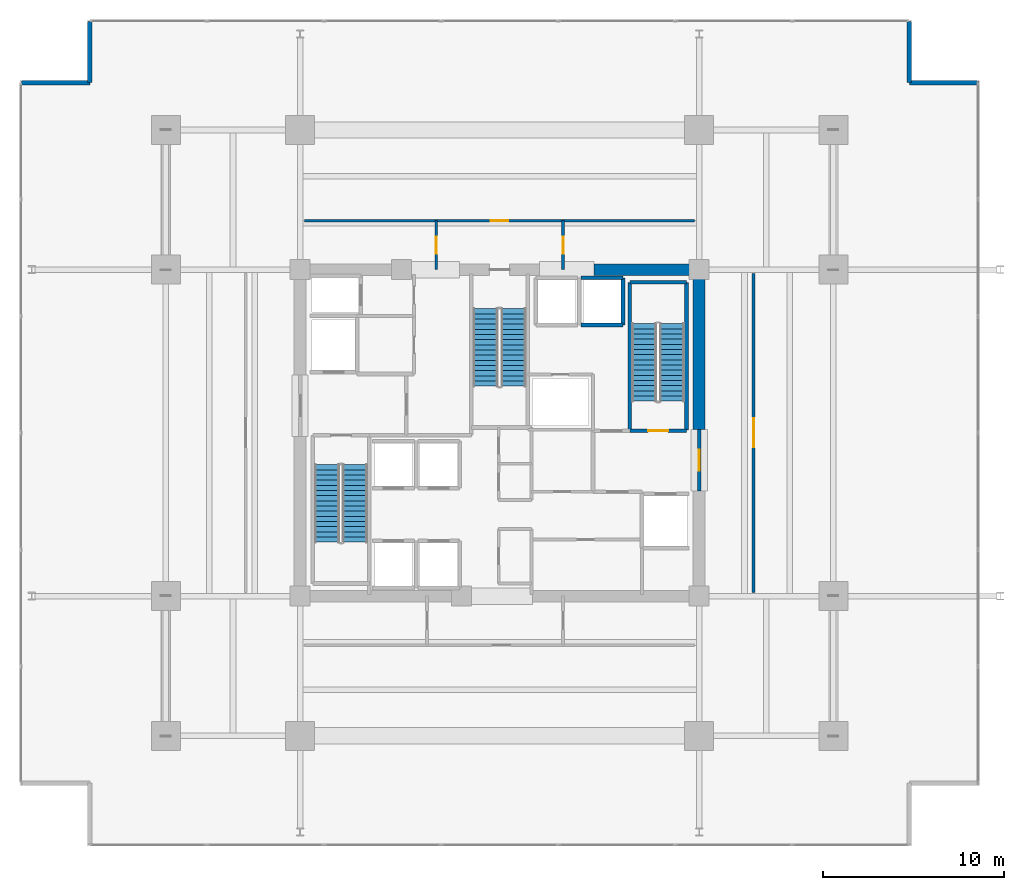
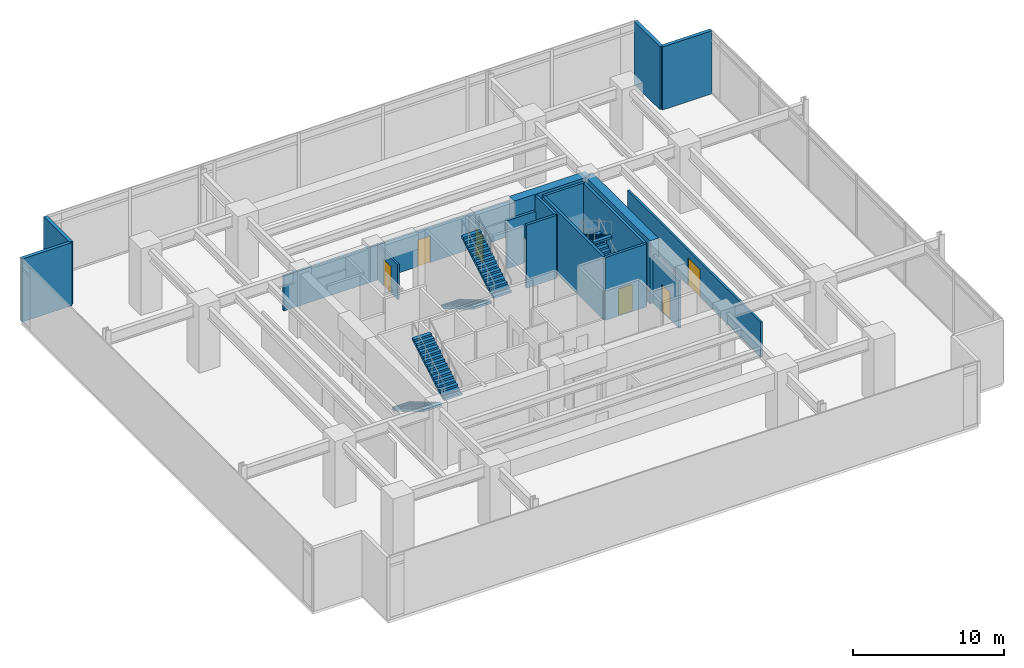
# One storey, part 22 of 23: 18 walls, 6 doors, 6 stair flights, 6 openings, 3 elements without a shape of their own.
"""IFC4 building model written with IfcOpenShell, lengths in metres."""

from ifc_helpers import new_model, si_unit, direction, frame, frame_2d, origin, place, context, subcontext, project, spatial, polyline, rectangle, outline, extrude, material, layer, layer_set, type_object, element, fill, aggregate, save


model = new_model("IFC4")

# Units and contexts
model_context = context("Model", 3, precision=1e-05, world=origin(), true_north=direction((0.0, 1.0)))
body_context = subcontext(model_context, "Body", "Model", "MODEL_VIEW")
ifc_project = project(units=[si_unit("LENGTHUNIT", "METRE"), si_unit("AREAUNIT", "SQUARE_METRE"), si_unit("VOLUMEUNIT", "CUBIC_METRE"), si_unit("PLANEANGLEUNIT", "RADIAN"), si_unit("MASSUNIT", "GRAM", prefix="KILO")], contexts=[model_context])

# Site, building, storey
site_placement = place(None, origin())
site = spatial("IfcSite", under=ifc_project, at=site_placement, CompositionType="ELEMENT")
building_placement = place(site_placement, origin())
building = spatial("IfcBuilding", under=site, at=building_placement, Name="Kovane Verandah Tower", CompositionType="ELEMENT")
storey_placement = place(building_placement, frame((0.0, 0.0, 107.60009765625)))
storey = spatial("IfcBuildingStorey", under=building, at=storey_placement, Name="L25", CompositionType="ELEMENT", Elevation=107.60009765625)

# Wall, opening, door
ifc_material_1 = material(Name="Fire-Rated Gypsum Stud Partition", Category="gypsum")
ifc_layer_1 = layer(ifc_material_1, 0.14990234375)
ifc_layer_set_1 = layer_set([ifc_layer_1], Name="Fire-Rated Gypsum Stud Partition")
wall_type_1 = type_object("IfcWallType", Name="WL-COR-150", PredefinedType="PARTITIONING", material=ifc_layer_set_1)
wall_1_placement = place(storey_placement, frame((36.5, 36.5, 0.0), z_axis=(0.0, 0.0, 1.0), x_axis=(0.0, 1.0, 0.0)))
wall_1 = element("IfcWall", 1, at=wall_1_placement, inside=storey, type_object=wall_type_1, Name="L25 North Refuge Stair Lobby West Fire Wall", PredefinedType="PARTITIONING", context=body_context, shape_type="SweptSolid", body=[
    extrude(rectangle(XDim=2.699951171875, YDim=0.14990234375, at=frame_2d((1.35009765625, 0.0))), origin(), (0.0, 0.0, 1.0), 2.849853515625),
])
opening_1_placement = place(wall_1_placement, frame((0.875, 0.0, 0.0)))
opening_1 = element("IfcOpeningElement", 2, at=opening_1_placement, cuts=wall_1, Name="Opening DR-L25-008", PredefinedType="OPENING", context=body_context, shape_type="SweptSolid", body=[
    extrude(rectangle(XDim=0.949951171875, YDim=2.14990234375, at=frame_2d((0.47509765625, 1.074951171875))), frame((0.0, 0.074951171875, 0.0), z_axis=(0.0, -1.0, 0.0), x_axis=(1.0, 0.0, 0.0)), (0.0, 0.0, 1.0), 0.14990234375),
])
ifc_material_2 = material(Name="Fire-Rated Steel Refuge and Lobby Door", Category="steel")
door_type_1 = type_object("IfcDoorType", Name="DR-FIRE-950", OperationType="SINGLE_SWING_LEFT", PredefinedType="DOOR", material=ifc_material_2)
door_1_placement = place(opening_1_placement, origin())
door_1 = element("IfcDoor", 3, at=door_1_placement, inside=storey, type_object=door_type_1, Name="L25 North Refuge Stair Lobby West Fire Door", OperationType="SINGLE_SWING_LEFT", OverallHeight=2.14990234375, OverallWidth=0.949951171875, PredefinedType="DOOR", context=body_context, shape_type="SweptSolid", body=[
    extrude(rectangle(XDim=0.949951171875, YDim=2.14990234375, at=frame_2d((0.47509765625, 1.074951171875))), frame((0.0, 0.02490234375, 0.0), z_axis=(0.0, -1.0, 0.0), x_axis=(1.0, 0.0, 0.0)), (0.0, 0.0, 1.0), 0.050048828125),
])
fill(opening_1, door_1)

wall_2_placement = place(storey_placement, frame((43.5, 36.5, 0.0), z_axis=(0.0, 0.0, 1.0), x_axis=(0.0, 1.0, 0.0)))
wall_2 = element("IfcWall", 4, at=wall_2_placement, inside=storey, type_object=wall_type_1, Name="L25 North Refuge Stair Lobby East Fire Wall", PredefinedType="PARTITIONING", context=body_context, shape_type="SweptSolid", body=[
    extrude(rectangle(XDim=2.699951171875, YDim=0.14990234375, at=frame_2d((1.35009765625, 0.0))), origin(), (0.0, 0.0, 1.0), 2.849853515625),
])
opening_2_placement = place(wall_2_placement, frame((0.875, 0.0, 0.0)))
opening_2 = element("IfcOpeningElement", 5, at=opening_2_placement, cuts=wall_2, Name="Opening DR-L25-007", PredefinedType="OPENING", context=body_context, shape_type="SweptSolid", body=[
    extrude(rectangle(XDim=0.949951171875, YDim=2.14990234375, at=frame_2d((0.47509765625, 1.074951171875))), frame((0.0, 0.074951171875, 0.0), z_axis=(0.0, -1.0, 0.0), x_axis=(1.0, 0.0, 0.0)), (0.0, 0.0, 1.0), 0.14990234375),
])
door_2_placement = place(opening_2_placement, origin())
door_2 = element("IfcDoor", 6, at=door_2_placement, inside=storey, type_object=door_type_1, Name="L25 North Refuge Stair Lobby East Fire Door", OperationType="SINGLE_SWING_RIGHT", OverallHeight=2.14990234375, OverallWidth=0.949951171875, PredefinedType="DOOR", context=body_context, shape_type="SweptSolid", body=[
    extrude(rectangle(XDim=0.949951171875, YDim=2.14990234375, at=frame_2d((0.47509765625, 1.074951171875))), frame((0.0, 0.02490234375, 0.0), z_axis=(0.0, -1.0, 0.0), x_axis=(1.0, 0.0, 0.0)), (0.0, 0.0, 1.0), 0.050048828125),
])
fill(opening_2, door_2)

wall_3_placement = place(storey_placement, frame((29.25, 39.199951171875, 0.0), z_axis=(0.0, 0.0, 1.0), x_axis=(1.0, 0.0, 0.0)))
wall_3 = element("IfcWall", 7, at=wall_3_placement, inside=storey, type_object=wall_type_1, Name="L25 Open-Sided Refuge Area North Corridor Partition", PredefinedType="PARTITIONING", context=body_context, shape_type="SweptSolid", body=[
    extrude(rectangle(XDim=21.5, YDim=0.14990234375, at=frame_2d((10.75, 0.0))), origin(), (0.0, 0.0, 1.0), 2.849853515625),
])
opening_3_placement = place(wall_3_placement, frame((10.27490234375, 0.0, 0.0)))
opening_3 = element("IfcOpeningElement", 8, at=opening_3_placement, cuts=wall_3, Name="Opening DR-L25-018", PredefinedType="OPENING", context=body_context, shape_type="SweptSolid", body=[
    extrude(rectangle(XDim=0.949951171875, YDim=2.14990234375, at=frame_2d((0.47509765625, 1.074951171875))), frame((0.0, 0.074951171875, 0.0), z_axis=(0.0, -1.0, 0.0), x_axis=(1.0, 0.0, 0.0)), (0.0, 0.0, 1.0), 0.14990234375),
])
door_3_placement = place(opening_3_placement, origin())
door_3 = element("IfcDoor", 9, at=door_3_placement, inside=storey, type_object=door_type_1, Name="L25 Open-Sided Refuge Area North Entrance Door", OperationType="SINGLE_SWING_LEFT", OverallHeight=2.14990234375, OverallWidth=0.949951171875, PredefinedType="DOOR", context=body_context, shape_type="SweptSolid", body=[
    extrude(rectangle(XDim=0.949951171875, YDim=2.14990234375, at=frame_2d((0.47509765625, 1.074951171875))), frame((0.0, 0.02490234375, 0.0), z_axis=(0.0, -1.0, 0.0), x_axis=(1.0, 0.0, 0.0)), (0.0, 0.0, 1.0), 0.050048828125),
])
fill(opening_3, door_3)

wall_4_placement = place(storey_placement, frame((54.0, 18.699951171875, 0.0), z_axis=(0.0, 0.0, 1.0), x_axis=(0.0, 1.0, 0.0)))
wall_4 = element("IfcWall", 10, at=wall_4_placement, inside=storey, type_object=wall_type_1, Name="L25 Electrical Switchroom Plant East Corridor Partition", PredefinedType="PARTITIONING", context=body_context, shape_type="SweptSolid", body=[
    extrude(rectangle(XDim=17.60009765625, YDim=0.14990234375, at=frame_2d((8.800048828125, 0.0))), origin(), (0.0, 0.0, 1.0), 2.849853515625),
])
opening_4_placement = place(wall_4_placement, frame((8.0, 0.0, 0.0)))
opening_4 = element("IfcOpeningElement", 11, at=opening_4_placement, cuts=wall_4, Name="Opening DR-L25-014", PredefinedType="OPENING", context=body_context, shape_type="SweptSolid", body=[
    extrude(rectangle(XDim=1.60009765625, YDim=2.25, at=frame_2d((0.800048828125, 1.125))), frame((0.0, 0.074951171875, 0.0), z_axis=(0.0, -1.0, 0.0), x_axis=(1.0, 0.0, 0.0)), (0.0, 0.0, 1.0), 0.14990234375),
])
ifc_material_3 = material(Name="Louvred Acoustic Steel Double Plant Door", Category="steel")
door_type_2 = type_object("IfcDoorType", Name="DR-PLANT-1600", OperationType="DOUBLE_DOOR_SINGLE_SWING", PredefinedType="DOOR", material=ifc_material_3)
door_4_placement = place(opening_4_placement, origin())
door_4 = element("IfcDoor", 12, at=door_4_placement, inside=storey, type_object=door_type_2, Name="L25 Electrical Switchroom Plant East Entrance Door", OperationType="DOUBLE_DOOR_SINGLE_SWING", OverallHeight=2.25, OverallWidth=1.60009765625, PredefinedType="DOOR", context=body_context, shape_type="SweptSolid", body=[
    extrude(rectangle(XDim=1.60009765625, YDim=2.25, at=frame_2d((0.800048828125, 1.125))), frame((0.0, 0.02490234375, 0.0), z_axis=(0.0, -1.0, 0.0), x_axis=(1.0, 0.0, 0.0)), (0.0, 0.0, 1.0), 0.050048828125),
])
fill(opening_4, door_4)

# Walls
ifc_material_4 = material(Name="Concrete C80/95", Category="concrete")
ifc_layer_2 = layer(ifc_material_4, 0.64990234375)
ifc_layer_set_2 = layer_set([ifc_layer_2], Name="Concrete C80/95")
wall_type_2 = type_object("IfcWallType", Name="WL-CORE-650", PredefinedType="SHEAR", material=ifc_layer_set_2)
wall_5_placement = place(storey_placement, frame((45.199951171875, 36.5, 0.0), z_axis=(0.0, 0.0, 1.0), x_axis=(1.0, 0.0, 0.0)))
element("IfcWall", 13, at=wall_5_placement, inside=storey, type_object=wall_type_2, Name="L25 Core Shear Wall CN-3", PredefinedType="SHEAR", context=body_context, shape_type="SweptSolid", body=[
    extrude(rectangle(XDim=5.800048828125, YDim=0.64990234375, at=frame_2d((2.89990234375, 0.0))), origin(), (0.0, 0.0, 1.0), 5.099853515625),
])
wall_6_placement = place(storey_placement, frame((51.0, 27.699951171875, 0.0), z_axis=(0.0, 0.0, 1.0), x_axis=(0.0, 1.0, 0.0)))
element("IfcWall", 14, at=wall_6_placement, inside=storey, type_object=wall_type_2, Name="L25 Core Shear Wall CE-2", PredefinedType="SHEAR", context=body_context, shape_type="SweptSolid", body=[
    extrude(rectangle(XDim=8.800048828125, YDim=0.64990234375, at=frame_2d((4.39990234375, 0.0))), origin(), (0.0, 0.0, 1.0), 5.099853515625),
])

# Wall, opening, door
ifc_material_5 = material(Name="Concrete C45/55 Fire Wall", Category="concrete")
ifc_layer_3 = layer(ifc_material_5, 0.199951171875)
ifc_layer_set_3 = layer_set([ifc_layer_3], Name="Concrete C45/55 Fire Wall")
wall_type_3 = type_object("IfcWallType", Name="WL-FFL-200", PredefinedType="PARTITIONING", material=ifc_layer_set_3)
wall_7_placement = place(storey_placement, frame((51.0, 24.300048828125, 0.0), z_axis=(0.0, 0.0, 1.0), x_axis=(0.0, 1.0, 0.0)))
wall_7 = element("IfcWall", 15, at=wall_7_placement, inside=storey, type_object=wall_type_3, Name="W-L25-FFLE-OUT", PredefinedType="PARTITIONING", context=body_context, shape_type="SweptSolid", body=[
    extrude(rectangle(XDim=3.39990234375, YDim=0.199951171875, at=frame_2d((1.699951171875, 0.0))), origin(), (0.0, 0.0, 1.0), 3.8798828125),
])
opening_5_placement = place(wall_7_placement, frame((1.125, 0.0, 0.0)))
opening_5 = element("IfcOpeningElement", 16, at=opening_5_placement, cuts=wall_7, Name="Opening DR-L25-003", PredefinedType="OPENING", context=body_context, shape_type="SweptSolid", body=[
    extrude(rectangle(XDim=1.14990234375, YDim=2.199951171875, at=frame_2d((0.574951171875, 1.10009765625))), frame((0.0, 0.10009765625, 0.0), z_axis=(0.0, -1.0, 0.0), x_axis=(1.0, 0.0, 0.0)), (0.0, 0.0, 1.0), 0.199951171875),
])
ifc_material_6 = material(Name="Smoke-Sealed Firefighting Lobby Door", Category="steel")
door_type_3 = type_object("IfcDoorType", Name="DR-FFL-1150", OperationType="SINGLE_SWING_LEFT", PredefinedType="DOOR", material=ifc_material_6)
door_5_placement = place(opening_5_placement, origin())
door_5 = element("IfcDoor", 17, at=door_5_placement, inside=storey, type_object=door_type_3, Name="L25 East Firefighting Lobby Corridor Door", OperationType="SINGLE_SWING_LEFT", OverallHeight=2.199951171875, OverallWidth=1.14990234375, PredefinedType="DOOR", context=body_context, shape_type="SweptSolid", body=[
    extrude(rectangle(XDim=1.14990234375, YDim=2.199951171875, at=frame_2d((0.574951171875, 1.10009765625))), frame((0.0, 0.02490234375, 0.0), z_axis=(0.0, -1.0, 0.0), x_axis=(1.0, 0.0, 0.0)), (0.0, 0.0, 1.0), 0.050048828125),
])
fill(opening_5, door_5)

# Walls
ifc_material_7 = material(Name="Concrete C45/55 Lift Shaft Wall", Category="concrete")
ifc_layer_4 = layer(ifc_material_7, 0.199951171875)
ifc_layer_set_4 = layer_set([ifc_layer_4], Name="Concrete C45/55 Lift Shaft Wall")
wall_type_4 = type_object("IfcWallType", Name="WL-LIFT-200", PredefinedType="SOLIDWALL", material=ifc_layer_set_4)
wall_8_placement = place(storey_placement, frame((44.5, 33.449951171875, 0.0), z_axis=(0.0, 0.0, 1.0), x_axis=(1.0, 0.0, 0.0)))
element("IfcWall", 18, at=wall_8_placement, inside=storey, type_object=wall_type_4, Name="L25 Lift OL-01 S Shaft Wall", PredefinedType="SOLIDWALL", context=body_context, shape_type="SweptSolid", body=[
    extrude(rectangle(XDim=2.300048828125, YDim=0.199951171875, at=frame_2d((1.14990234375, 0.0))), origin(), (0.0, 0.0, 1.0), 5.099853515625),
])
wall_9_placement = place(storey_placement, frame((46.800048828125, 36.050048828125, 0.0), z_axis=(0.0, 0.0, 1.0), x_axis=(-1.0, 0.0, 0.0)))
element("IfcWall", 19, at=wall_9_placement, inside=storey, type_object=wall_type_4, Name="L25 Lift OL-01 N Shaft Wall", PredefinedType="SOLIDWALL", context=body_context, shape_type="SweptSolid", body=[
    extrude(rectangle(XDim=2.300048828125, YDim=0.199951171875, at=frame_2d((1.14990234375, 0.0))), origin(), (0.0, 0.0, 1.0), 3.8798828125),
])
wall_10_placement = place(storey_placement, frame((46.800048828125, 33.449951171875, 0.0), z_axis=(0.0, 0.0, 1.0), x_axis=(0.0, 1.0, 0.0)))
element("IfcWall", 20, at=wall_10_placement, inside=storey, type_object=wall_type_4, Name="L25 Lift OL-01 E Shaft Wall", PredefinedType="SOLIDWALL", context=body_context, shape_type="SweptSolid", body=[
    extrude(rectangle(XDim=2.60009765625, YDim=0.199951171875, at=frame_2d((1.300048828125, 0.0))), origin(), (0.0, 0.0, 1.0), 5.099853515625),
])
ifc_material_8 = material(Name="Concrete C45/55", Category="concrete")
ifc_layer_5 = layer(ifc_material_8, 0.199951171875)
ifc_layer_set_5 = layer_set([ifc_layer_5], Name="Concrete C45/55")
wall_type_5 = type_object("IfcWallType", Name="WL-SHAFT-200", PredefinedType="SOLIDWALL", material=ifc_layer_set_5)
wall_11_placement = place(storey_placement, frame((50.300048828125, 27.64990234375, 0.0), z_axis=(0.0, 0.0, 1.0), x_axis=(0.0, 1.0, 0.0)))
element("IfcWall", 21, at=wall_11_placement, inside=storey, type_object=wall_type_5, Name="W-L25-ST02-E", PredefinedType="SOLIDWALL", context=body_context, shape_type="SweptSolid", body=[
    extrude(rectangle(XDim=8.150146484375, YDim=0.199951171875, at=frame_2d((4.0751953125, 0.0))), origin(), (0.0, 0.0, 1.0), 5.099853515625),
])
wall_12_placement = place(storey_placement, frame((47.179931640625, 35.800048828125, 0.0), z_axis=(0.0, 0.0, 1.0), x_axis=(1.0, 0.0, 0.0)))
element("IfcWall", 22, at=wall_12_placement, inside=storey, type_object=wall_type_5, Name="W-L25-ST02-N", PredefinedType="SOLIDWALL", context=body_context, shape_type="SweptSolid", body=[
    extrude(rectangle(XDim=3.1201171875, YDim=0.199951171875, at=frame_2d((1.56005859375, 0.0))), origin(), (0.0, 0.0, 1.0), 5.099853515625),
])
wall_13_placement = place(storey_placement, frame((47.179931640625, 27.6201171875, 0.0), z_axis=(0.0, 0.0, 1.0), x_axis=(0.0, 1.0, 0.0)))
element("IfcWall", 23, at=wall_13_placement, inside=storey, type_object=wall_type_5, Name="W-L25-ST02-W", PredefinedType="SOLIDWALL", context=body_context, shape_type="SweptSolid", body=[
    extrude(rectangle(XDim=8.179931640625, YDim=0.199951171875, at=frame_2d((4.08984375, 0.0))), origin(), (0.0, 0.0, 1.0), 5.099853515625),
])

# Wall, opening, door
wall_14_placement = place(storey_placement, frame((47.179931640625, 27.6201171875, 0.0), z_axis=(0.0, 0.0, 1.0), x_axis=(1.0, 0.0, 0.0)))
wall_14 = element("IfcWall", 24, at=wall_14_placement, inside=storey, type_object=wall_type_5, Name="W-L25-ST02-S", PredefinedType="SOLIDWALL", context=body_context, shape_type="SweptSolid", body=[
    extrude(rectangle(XDim=3.1201171875, YDim=0.199951171875, at=frame_2d((1.56005859375, 0.0))), origin(), (0.0, 0.0, 1.0), 5.099853515625),
])
opening_6_placement = place(wall_14_placement, frame((1.010009765625, 0.0, 0.0)))
opening_6 = element("IfcOpeningElement", 25, at=opening_6_placement, cuts=wall_14, Name="Opening DR-L25-012", PredefinedType="OPENING", context=body_context, shape_type="SweptSolid", body=[
    extrude(rectangle(XDim=1.10009765625, YDim=2.14990234375, at=frame_2d((0.550048828125, 1.074951171875))), frame((0.0, 0.10009765625, 0.0), z_axis=(0.0, -1.0, 0.0), x_axis=(1.0, 0.0, 0.0)), (0.0, 0.0, 1.0), 0.199951171875),
])
ifc_material_9 = material(Name="Fire-Rated Steel Exit Door", Category="steel")
door_type_4 = type_object("IfcDoorType", Name="DR-STAIR-1100", OperationType="SINGLE_SWING_LEFT", PredefinedType="DOOR", material=ifc_material_9)
door_6_placement = place(opening_6_placement, origin())
door_6 = element("IfcDoor", 26, at=door_6_placement, inside=storey, type_object=door_type_4, Name="L25 ST-02 Fire Exit Stair Door", OperationType="SINGLE_SWING_LEFT", OverallHeight=2.14990234375, OverallWidth=1.10009765625, PredefinedType="DOOR", context=body_context, shape_type="SweptSolid", body=[
    extrude(rectangle(XDim=1.10009765625, YDim=2.14990234375, at=frame_2d((0.550048828125, 1.074951171875))), frame((0.0, 0.02490234375, 0.0), z_axis=(0.0, -1.0, 0.0), x_axis=(1.0, 0.0, 0.0)), (0.0, 0.0, 1.0), 0.050048828125),
])
fill(opening_6, door_6)

# Walls
ifc_material_10 = material(Name="Concrete C45/55 Insulated Spandrel Wall", Category="concrete")
ifc_layer_6 = layer(ifc_material_10, 0.260009765625)
ifc_layer_set_6 = layer_set([ifc_layer_6], Name="Concrete C45/55 Insulated Spandrel Wall")
wall_type_6 = type_object("IfcWallType", Name="WL-SPANDREL-260", PredefinedType="PARAPET", material=ifc_layer_set_6)
wall_15_placement = place(storey_placement, frame((66.386962890625, 46.810791015625, 0.0), z_axis=(0.0, 0.0, 1.0), x_axis=(-1.0, 0.0, 0.0)))
element("IfcWall", 27, at=wall_15_placement, inside=storey, type_object=wall_type_6, Name="L25 NE Notch Cheek Wall 1", PredefinedType="PARAPET", context=body_context, shape_type="SweptSolid", body=[
    extrude(rectangle(XDim=3.800048828125, YDim=0.260009765625, at=frame_2d((1.89990234375, 0.0))), origin(), (0.0, 0.0, 1.0), 5.099853515625),
])
for number, where, z_axis, x_axis, name in (
    (28, (62.5869140625, 46.810791015625, 0.0), (0.0, 0.0, 1.0), (0.0, 1.0, 0.0), "L25 NE Notch Cheek Wall 2"),
    (29, (17.4130859375, 50.2109375, 0.0), (0.0, 0.0, 1.0), (0.0, -1.0, 0.0), "L25 NW Notch Cheek Wall 1"),
):
    element("IfcWall", number, at=place(storey_placement, frame(where, z_axis=z_axis, x_axis=x_axis)), inside=storey, type_object=wall_type_6, Name=name, PredefinedType="PARAPET", context=body_context, shape_type="SweptSolid", body=[
        extrude(rectangle(XDim=3.400146484375, YDim=0.260009765625, at=frame_2d((1.7001953125, 0.0))), origin(), (0.0, 0.0, 1.0), 5.099853515625),
    ])
wall_16_placement = place(storey_placement, frame((17.4130859375, 46.810791015625, 0.0), z_axis=(0.0, 0.0, 1.0), x_axis=(-1.0, 0.0, 0.0)))
element("IfcWall", 30, at=wall_16_placement, inside=storey, type_object=wall_type_6, Name="L25 NW Notch Cheek Wall 2", PredefinedType="PARAPET", context=body_context, shape_type="SweptSolid", body=[
    extrude(rectangle(XDim=3.800048828125, YDim=0.260009765625, at=frame_2d((1.89990234375, 0.0))), origin(), (0.0, 0.0, 1.0), 5.099853515625),
])

# Stair, stair flights
stair_type = type_object("IfcStairType", Name="ST-CORE-1380", PredefinedType="HALF_TURN_STAIR", material=ifc_material_8)
stair_1_placement = place(storey_placement, origin())
stair_1 = element("IfcStair", 31, at=stair_1_placement, inside=storey, type_object=stair_type, Name="L25 Exit Stair ST-01", PredefinedType="HALF_TURN_STAIR")
stair_flight_type = type_object("IfcStairFlightType", Name="STF-CORE-1380", PredefinedType="STRAIGHT", material=ifc_material_8)
stair_flight_1_placement = place(storey_placement, frame((30.489990234375, 25.75, 0.0), z_axis=(0.0, 0.0, 1.0), x_axis=(0.0, -1.0, 0.0)))
stair_flight_1 = element("IfcStairFlight", 32, at=stair_flight_1_placement, type_object=stair_flight_type, Name="ST-01 flight 1", NumberOfRisers=16, NumberOfTreads=15, PredefinedType="STRAIGHT", RiserHeight=0.16875, TreadLength=0.285, context=body_context, shape_type="SweptSolid", body=[
    extrude(outline(polyline([(0.0, 0.0), (0.0, 0.168701171875), (0.284912109375, 0.168701171875), (0.284912109375, 0.33740234375), (0.570068359375, 0.33740234375), (0.570068359375, 0.50634765625), (0.85498046875, 0.50634765625), (0.85498046875, 0.675048828125), (1.139892578125, 0.675048828125), (1.139892578125, 0.84375), (1.425048828125, 0.84375), (1.425048828125, 1.012451171875), (1.7099609375, 1.012451171875), (1.7099609375, 1.18115234375), (1.9951171875, 1.18115234375), (1.9951171875, 1.35009765625), (2.280029296875, 1.35009765625), (2.280029296875, 1.518798828125), (2.56494140625, 1.518798828125), (2.56494140625, 1.6875), (2.85009765625, 1.6875), (2.85009765625, 1.856201171875), (3.135009765625, 1.856201171875), (3.135009765625, 2.02490234375), (3.419921875, 2.02490234375), (3.419921875, 2.19384765625), (3.705078125, 2.19384765625), (3.705078125, 2.362548828125), (3.989990234375, 2.362548828125), (3.989990234375, 2.53125), (4.27490234375, 2.53125), (4.27490234375, 2.699951171875), (4.27490234375, 2.35693359375), (0.294189453125, 0.0), (0.0, 0.0)])), frame((0.0, 0.68994140625, 0.0), z_axis=(0.0, -1.0, 0.0), x_axis=(1.0, 0.0, 0.0)), (0.0, 0.0, 1.0), 1.3798828125),
])
stair_flight_2_placement = place(storey_placement, frame((32.030029296875, 21.47509765625, 2.699951171875), z_axis=(0.0, 0.0, 1.0), x_axis=(0.0, 1.0, 0.0)))
stair_flight_2 = element("IfcStairFlight", 33, at=stair_flight_2_placement, type_object=stair_flight_type, Name="ST-01 flight 2", NumberOfRisers=16, NumberOfTreads=15, PredefinedType="STRAIGHT", RiserHeight=0.16875, TreadLength=0.285, context=body_context, shape_type="SweptSolid", body=[
    extrude(outline(polyline([(0.0, 0.0), (0.0, 0.168701171875), (0.284912109375, 0.168701171875), (0.284912109375, 0.33740234375), (0.570068359375, 0.33740234375), (0.570068359375, 0.50634765625), (0.85498046875, 0.50634765625), (0.85498046875, 0.675048828125), (1.139892578125, 0.675048828125), (1.139892578125, 0.84375), (1.425048828125, 0.84375), (1.425048828125, 1.012451171875), (1.7099609375, 1.012451171875), (1.7099609375, 1.18115234375), (1.9951171875, 1.18115234375), (1.9951171875, 1.35009765625), (2.280029296875, 1.35009765625), (2.280029296875, 1.518798828125), (2.56494140625, 1.518798828125), (2.56494140625, 1.6875), (2.85009765625, 1.6875), (2.85009765625, 1.856201171875), (3.135009765625, 1.856201171875), (3.135009765625, 2.02490234375), (3.419921875, 2.02490234375), (3.419921875, 2.19384765625), (3.705078125, 2.19384765625), (3.705078125, 2.362548828125), (3.989990234375, 2.362548828125), (3.989990234375, 2.53125), (4.27490234375, 2.53125), (4.27490234375, 2.699951171875), (4.27490234375, 2.35693359375), (0.294189453125, 0.0), (0.0, 0.0)])), frame((0.0, 0.68994140625, 0.0), z_axis=(0.0, -1.0, 0.0), x_axis=(1.0, 0.0, 0.0)), (0.0, 0.0, 1.0), 1.3798828125),
])
aggregate(stair_1, [stair_flight_1, stair_flight_2])

stair_2_placement = place(storey_placement, origin())
stair_2 = element("IfcStair", 34, at=stair_2_placement, inside=storey, type_object=stair_type, Name="L25 Exit Stair ST-02", PredefinedType="HALF_TURN_STAIR")
stair_flight_3_placement = place(storey_placement, frame((49.510009765625, 29.25, 0.0), z_axis=(0.0, 0.0, 1.0), x_axis=(0.0, 1.0, 0.0)))
stair_flight_3 = element("IfcStairFlight", 35, at=stair_flight_3_placement, type_object=stair_flight_type, Name="ST-02 flight 1", NumberOfRisers=16, NumberOfTreads=15, PredefinedType="STRAIGHT", RiserHeight=0.16875, TreadLength=0.285, context=body_context, shape_type="SweptSolid", body=[
    extrude(outline(polyline([(0.0, 0.0), (0.0, 0.168701171875), (0.284912109375, 0.168701171875), (0.284912109375, 0.33740234375), (0.570068359375, 0.33740234375), (0.570068359375, 0.50634765625), (0.85498046875, 0.50634765625), (0.85498046875, 0.675048828125), (1.139892578125, 0.675048828125), (1.139892578125, 0.84375), (1.425048828125, 0.84375), (1.425048828125, 1.012451171875), (1.7099609375, 1.012451171875), (1.7099609375, 1.18115234375), (1.9951171875, 1.18115234375), (1.9951171875, 1.35009765625), (2.280029296875, 1.35009765625), (2.280029296875, 1.518798828125), (2.56494140625, 1.518798828125), (2.56494140625, 1.6875), (2.85009765625, 1.6875), (2.85009765625, 1.856201171875), (3.135009765625, 1.856201171875), (3.135009765625, 2.02490234375), (3.419921875, 2.02490234375), (3.419921875, 2.19384765625), (3.705078125, 2.19384765625), (3.705078125, 2.362548828125), (3.989990234375, 2.362548828125), (3.989990234375, 2.53125), (4.27490234375, 2.53125), (4.27490234375, 2.699951171875), (4.27490234375, 2.35693359375), (0.294189453125, 0.0), (0.0, 0.0)])), frame((0.0, 0.68994140625, 0.0), z_axis=(0.0, -1.0, 0.0), x_axis=(1.0, 0.0, 0.0)), (0.0, 0.0, 1.0), 1.3798828125),
])
stair_flight_4_placement = place(storey_placement, frame((47.969970703125, 33.52490234375, 2.699951171875), z_axis=(0.0, 0.0, 1.0), x_axis=(0.0, -1.0, 0.0)))
stair_flight_4 = element("IfcStairFlight", 36, at=stair_flight_4_placement, type_object=stair_flight_type, Name="ST-02 flight 2", NumberOfRisers=16, NumberOfTreads=15, PredefinedType="STRAIGHT", RiserHeight=0.16875, TreadLength=0.285, context=body_context, shape_type="SweptSolid", body=[
    extrude(outline(polyline([(0.0, 0.0), (0.0, 0.168701171875), (0.284912109375, 0.168701171875), (0.284912109375, 0.33740234375), (0.570068359375, 0.33740234375), (0.570068359375, 0.50634765625), (0.85498046875, 0.50634765625), (0.85498046875, 0.675048828125), (1.139892578125, 0.675048828125), (1.139892578125, 0.84375), (1.425048828125, 0.84375), (1.425048828125, 1.012451171875), (1.7099609375, 1.012451171875), (1.7099609375, 1.18115234375), (1.9951171875, 1.18115234375), (1.9951171875, 1.35009765625), (2.280029296875, 1.35009765625), (2.280029296875, 1.518798828125), (2.56494140625, 1.518798828125), (2.56494140625, 1.6875), (2.85009765625, 1.6875), (2.85009765625, 1.856201171875), (3.135009765625, 1.856201171875), (3.135009765625, 2.02490234375), (3.419921875, 2.02490234375), (3.419921875, 2.19384765625), (3.705078125, 2.19384765625), (3.705078125, 2.362548828125), (3.989990234375, 2.362548828125), (3.989990234375, 2.53125), (4.27490234375, 2.53125), (4.27490234375, 2.699951171875), (4.27490234375, 2.35693359375), (0.294189453125, 0.0), (0.0, 0.0)])), frame((0.0, 0.68994140625, 0.0), z_axis=(0.0, -1.0, 0.0), x_axis=(1.0, 0.0, 0.0)), (0.0, 0.0, 1.0), 1.3798828125),
])
aggregate(stair_2, [stair_flight_3, stair_flight_4])

stair_3_placement = place(storey_placement, origin())
stair_3 = element("IfcStair", 37, at=stair_3_placement, inside=storey, type_object=stair_type, Name="L25 Exit Stair ST-03", PredefinedType="HALF_TURN_STAIR")
stair_flight_5_placement = place(storey_placement, frame((39.22998046875, 34.35009765625, 0.0), z_axis=(0.0, 0.0, 1.0), x_axis=(0.0, -1.0, 0.0)))
stair_flight_5 = element("IfcStairFlight", 38, at=stair_flight_5_placement, type_object=stair_flight_type, Name="ST-03 flight 1", NumberOfRisers=16, NumberOfTreads=15, PredefinedType="STRAIGHT", RiserHeight=0.16875, TreadLength=0.285, context=body_context, shape_type="SweptSolid", body=[
    extrude(outline(polyline([(0.0, 0.0), (0.0, 0.168701171875), (0.284912109375, 0.168701171875), (0.284912109375, 0.33740234375), (0.570068359375, 0.33740234375), (0.570068359375, 0.50634765625), (0.85498046875, 0.50634765625), (0.85498046875, 0.675048828125), (1.139892578125, 0.675048828125), (1.139892578125, 0.84375), (1.425048828125, 0.84375), (1.425048828125, 1.012451171875), (1.7099609375, 1.012451171875), (1.7099609375, 1.18115234375), (1.9951171875, 1.18115234375), (1.9951171875, 1.35009765625), (2.280029296875, 1.35009765625), (2.280029296875, 1.518798828125), (2.56494140625, 1.518798828125), (2.56494140625, 1.6875), (2.85009765625, 1.6875), (2.85009765625, 1.856201171875), (3.135009765625, 1.856201171875), (3.135009765625, 2.02490234375), (3.419921875, 2.02490234375), (3.419921875, 2.19384765625), (3.705078125, 2.19384765625), (3.705078125, 2.362548828125), (3.989990234375, 2.362548828125), (3.989990234375, 2.53125), (4.27490234375, 2.53125), (4.27490234375, 2.699951171875), (4.27490234375, 2.35693359375), (0.294189453125, 0.0), (0.0, 0.0)])), frame((0.0, 0.68994140625, 0.0), z_axis=(0.0, -1.0, 0.0), x_axis=(1.0, 0.0, 0.0)), (0.0, 0.0, 1.0), 1.3798828125),
])
stair_flight_6_placement = place(storey_placement, frame((40.77001953125, 30.074951171875, 2.699951171875), z_axis=(0.0, 0.0, 1.0), x_axis=(0.0, 1.0, 0.0)))
stair_flight_6 = element("IfcStairFlight", 39, at=stair_flight_6_placement, type_object=stair_flight_type, Name="ST-03 flight 2", NumberOfRisers=16, NumberOfTreads=15, PredefinedType="STRAIGHT", RiserHeight=0.16875, TreadLength=0.285, context=body_context, shape_type="SweptSolid", body=[
    extrude(outline(polyline([(0.0, 0.0), (0.0, 0.168701171875), (0.284912109375, 0.168701171875), (0.284912109375, 0.33740234375), (0.570068359375, 0.33740234375), (0.570068359375, 0.50634765625), (0.85498046875, 0.50634765625), (0.85498046875, 0.675048828125), (1.139892578125, 0.675048828125), (1.139892578125, 0.84375), (1.425048828125, 0.84375), (1.425048828125, 1.012451171875), (1.7099609375, 1.012451171875), (1.7099609375, 1.18115234375), (1.9951171875, 1.18115234375), (1.9951171875, 1.35009765625), (2.280029296875, 1.35009765625), (2.280029296875, 1.518798828125), (2.56494140625, 1.518798828125), (2.56494140625, 1.6875), (2.85009765625, 1.6875), (2.85009765625, 1.856201171875), (3.135009765625, 1.856201171875), (3.135009765625, 2.02490234375), (3.419921875, 2.02490234375), (3.419921875, 2.19384765625), (3.705078125, 2.19384765625), (3.705078125, 2.362548828125), (3.989990234375, 2.362548828125), (3.989990234375, 2.53125), (4.27490234375, 2.53125), (4.27490234375, 2.699951171875), (4.27490234375, 2.35693359375), (0.294189453125, 0.0), (0.0, 0.0)])), frame((0.0, 0.68994140625, 0.0), z_axis=(0.0, -1.0, 0.0), x_axis=(1.0, 0.0, 0.0)), (0.0, 0.0, 1.0), 1.3798828125),
])
aggregate(stair_3, [stair_flight_5, stair_flight_6])

save(model, "model.ifc")
